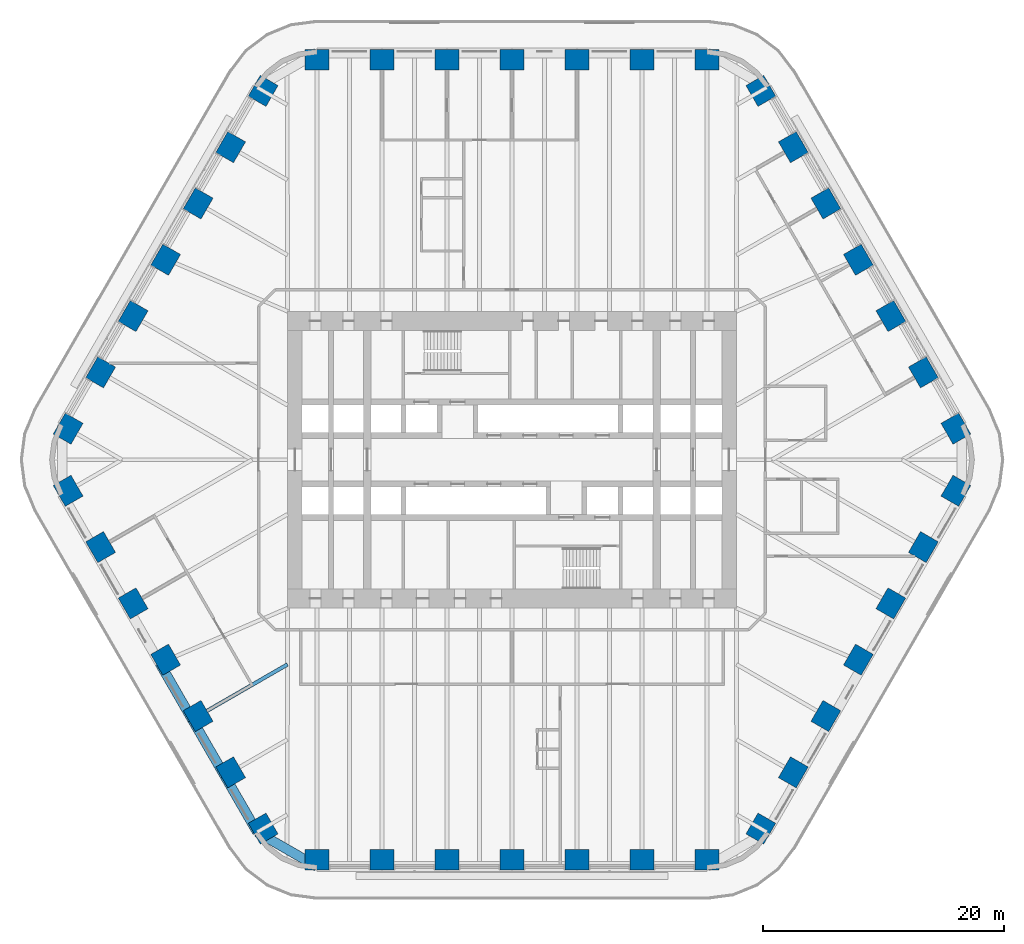
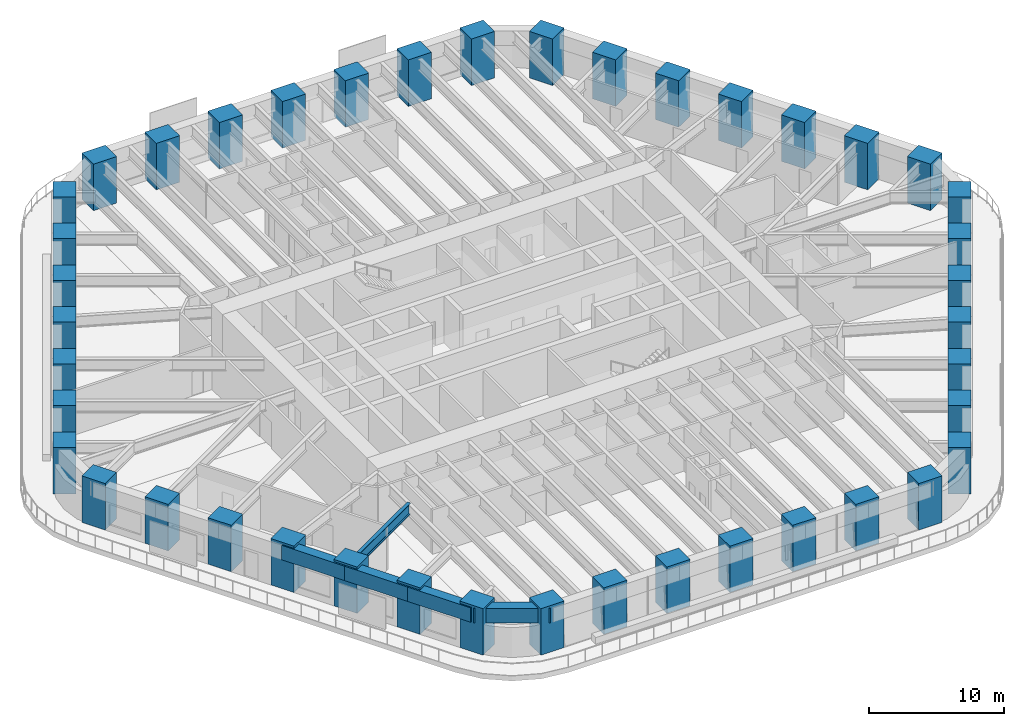
# One storey, part 1 of 24: 42 columns, 5 beams.
"""IFC4 building model written with IfcOpenShell, lengths in metres."""

from ifc_helpers import new_model, si_unit, direction, frame, origin, origin_2d, place, context, subcontext, project, spatial, rectangle, i_section, extrude, material, material_profile, profile_set, type_object, element, save


model = new_model("IFC4")

# Units and contexts
model_context = context("Model", 3, precision=1e-05, world=origin(), true_north=direction((0.0, 1.0)))
body_context = subcontext(model_context, "Body", "Model", "MODEL_VIEW")
ifc_project = project(units=[si_unit("LENGTHUNIT", "METRE"), si_unit("AREAUNIT", "SQUARE_METRE"), si_unit("VOLUMEUNIT", "CUBIC_METRE"), si_unit("PLANEANGLEUNIT", "RADIAN"), si_unit("MASSUNIT", "GRAM", prefix="KILO")], contexts=[model_context])

# Site, building, storey
site_placement = place(None, origin())
site = spatial("IfcSite", under=ifc_project, at=site_placement, CompositionType="ELEMENT")
building_placement = place(site_placement, origin())
building = spatial("IfcBuilding", under=site, at=building_placement, Name="Tarfa Lantern Tower", CompositionType="ELEMENT")
storey_placement = place(building_placement, frame((0.0, 0.0, 73.89990234375)))
storey = spatial("IfcBuildingStorey", under=building, at=storey_placement, Name="L16", CompositionType="ELEMENT", Elevation=73.89990234375)

# Columns
ifc_material_1 = material(Name="Concrete C80/95", Category="concrete")
ifc_material_profile_1 = material_profile(ifc_material_1, rectangle(XDim=2.0, YDim=1.699951171875, at=origin_2d()), Name="RC 2000x1700")
ifc_profile_set_1 = profile_set([ifc_material_profile_1], Name="Concrete C80/95")
column_type = type_object("IfcColumnType", Name="TC3 RC 2000x1700", PredefinedType="COLUMN", material=ifc_profile_set_1)
for number, where, z_axis, x_axis, name in (
    (1, (36.791748046875, 2.574951171875, 0.0), (0.0, 0.0, 1.0), (-0.5, 0.866025403784, 0.0), "Tube column NE0"),
    (2, (34.097412109375, 7.24169921875, 0.0), (0.0, 0.0, 1.0), (-0.5, 0.866025403784, 0.0), "Tube column NE1"),
    (3, (31.403076171875, 11.908447265625, 0.0), (0.0, 0.0, 1.0), (-0.5, 0.866025403784, 0.0), "Tube column NE2"),
    (4, (28.708740234375, 16.574951171875, 0.0), (0.0, 0.0, 1.0), (-0.5, 0.866025403784, 0.0), "Tube column NE3"),
    (5, (26.014404296875, 21.24169921875, 0.0), (0.0, 0.0, 1.0), (-0.5, 0.866025403784, 0.0), "Tube column NE4"),
    (6, (23.320068359375, 25.908447265625, 0.0), (0.0, 0.0, 1.0), (-0.5, 0.866025403784, 0.0), "Tube column NE5"),
    (7, (20.625732421875, 30.574951171875, 0.0), (0.0, 0.0, 1.0), (-0.5, 0.866025403784, 0.0), "Tube column NE6"),
    (8, (16.165771484375, 33.14990234375, 0.0), (0.0, 0.0, 1.0), (-1.0, 0.0, 0.0), "Tube column N0"),
    (9, (10.777099609375, 33.14990234375, 0.0), (0.0, 0.0, 1.0), (-1.0, 0.0, 0.0), "Tube column N1"),
    (10, (5.388671875, 33.14990234375, 0.0), (0.0, 0.0, 1.0), (-1.0, 0.0, 0.0), "Tube column N2"),
    (11, (0.0, 33.14990234375, 0.0), (0.0, 0.0, 1.0), (-1.0, 0.0, 0.0), "Tube column N3"),
    (12, (-5.388671875, 33.14990234375, 0.0), (0.0, 0.0, 1.0), (-1.0, 0.0, 0.0), "Tube column N4"),
    (13, (-10.777099609375, 33.14990234375, 0.0), (0.0, 0.0, 1.0), (-1.0, 0.0, 0.0), "Tube column N5"),
    (14, (-16.165771484375, 33.14990234375, 0.0), (0.0, 0.0, 1.0), (-1.0, 0.0, 0.0), "Tube column N6"),
    (15, (-20.625732421875, 30.574951171875, 0.0), (0.0, 0.0, 1.0), (-0.5, -0.866025403784, 0.0), "Tube column NW0"),
    (16, (-23.320068359375, 25.908447265625, 0.0), (0.0, 0.0, 1.0), (-0.5, -0.866025403784, 0.0), "Tube column NW1"),
    (17, (-26.014404296875, 21.24169921875, 0.0), (0.0, 0.0, 1.0), (-0.5, -0.866025403784, 0.0), "Tube column NW2"),
    (18, (-28.708740234375, 16.574951171875, 0.0), (0.0, 0.0, 1.0), (-0.5, -0.866025403784, 0.0), "Tube column NW3"),
    (19, (-31.403076171875, 11.908447265625, 0.0), (0.0, 0.0, 1.0), (-0.5, -0.866025403784, 0.0), "Tube column NW4"),
    (20, (-34.097412109375, 7.24169921875, 0.0), (0.0, 0.0, 1.0), (-0.5, -0.866025403784, 0.0), "Tube column NW5"),
    (21, (-36.791748046875, 2.574951171875, 0.0), (0.0, 0.0, 1.0), (-0.5, -0.866025403784, 0.0), "Tube column NW6"),
    (22, (-36.791748046875, -2.574951171875, 0.0), (0.0, 0.0, 1.0), (0.5, -0.866025403784, 0.0), "Tube column SW0"),
    (23, (-34.097412109375, -7.24169921875, 0.0), (0.0, 0.0, 1.0), (0.5, -0.866025403784, 0.0), "Tube column SW1"),
    (24, (-31.403076171875, -11.908447265625, 0.0), (0.0, 0.0, 1.0), (0.5, -0.866025403784, 0.0), "Tube column SW2"),
    (25, (-28.708740234375, -16.574951171875, 0.0), (0.0, 0.0, 1.0), (0.5, -0.866025403784, 0.0), "Tube column SW3"),
    (26, (-26.014404296875, -21.24169921875, 0.0), (0.0, 0.0, 1.0), (0.5, -0.866025403784, 0.0), "Tube column SW4"),
    (27, (-23.320068359375, -25.908447265625, 0.0), (0.0, 0.0, 1.0), (0.5, -0.866025403784, 0.0), "Tube column SW5"),
    (28, (-20.625732421875, -30.574951171875, 0.0), (0.0, 0.0, 1.0), (0.5, -0.866025403784, 0.0), "Tube column SW6"),
    (29, (-16.165771484375, -33.14990234375, 0.0), (0.0, 0.0, 1.0), (1.0, 0.0, 0.0), "Tube column S0"),
    (30, (-10.777099609375, -33.14990234375, 0.0), (0.0, 0.0, 1.0), (1.0, 0.0, 0.0), "Tube column S1"),
    (31, (-5.388671875, -33.14990234375, 0.0), (0.0, 0.0, 1.0), (1.0, 0.0, 0.0), "Tube column S2"),
    (32, (0.0, -33.14990234375, 0.0), (0.0, 0.0, 1.0), (1.0, 0.0, 0.0), "Tube column S3"),
    (33, (5.388671875, -33.14990234375, 0.0), (0.0, 0.0, 1.0), (1.0, 0.0, 0.0), "Tube column S4"),
    (34, (10.777099609375, -33.14990234375, 0.0), (0.0, 0.0, 1.0), (1.0, 0.0, 0.0), "Tube column S5"),
    (35, (16.165771484375, -33.14990234375, 0.0), (0.0, 0.0, 1.0), (1.0, 0.0, 0.0), "Tube column S6"),
    (36, (20.625732421875, -30.574951171875, 0.0), (0.0, 0.0, 1.0), (0.5, 0.866025403784, 0.0), "Tube column SE0"),
    (37, (23.320068359375, -25.908447265625, 0.0), (0.0, 0.0, 1.0), (0.5, 0.866025403784, 0.0), "Tube column SE1"),
    (38, (26.014404296875, -21.24169921875, 0.0), (0.0, 0.0, 1.0), (0.5, 0.866025403784, 0.0), "Tube column SE2"),
    (39, (28.708740234375, -16.574951171875, 0.0), (0.0, 0.0, 1.0), (0.5, 0.866025403784, 0.0), "Tube column SE3"),
    (40, (31.403076171875, -11.908447265625, 0.0), (0.0, 0.0, 1.0), (0.5, 0.866025403784, 0.0), "Tube column SE4"),
    (41, (34.097412109375, -7.24169921875, 0.0), (0.0, 0.0, 1.0), (0.5, 0.866025403784, 0.0), "Tube column SE5"),
    (42, (36.791748046875, -2.574951171875, 0.0), (0.0, 0.0, 1.0), (0.5, 0.866025403784, 0.0), "Tube column SE6"),
):
    element("IfcColumn", number, at=place(storey_placement, frame(where, z_axis=z_axis, x_axis=x_axis)), inside=storey, type_object=column_type, Name=name, PredefinedType="COLUMN", context=body_context, shape_type="SweptSolid", body=[
        extrude(rectangle(XDim=2.0, YDim=1.699951171875, at=origin_2d()), origin(), (0.0, 0.0, 1.0), 4.2001953125),
    ])

# Beams
ifc_material_profile_2 = material_profile(ifc_material_1, rectangle(XDim=0.800048828125, YDim=1.300048828125, at=origin_2d()), Name="RC 800x1300")
ifc_profile_set_2 = profile_set([ifc_material_profile_2], Name="Concrete C80/95")
beam_type_1 = type_object("IfcBeamType", Name="EB1 RC 800x1300", PredefinedType="SPANDREL", material=ifc_profile_set_2)
beam_1_placement = place(storey_placement, frame((-29.202392578125, -16.860107421875, 3.35009765625), z_axis=(0.500017906299, -0.866015065331, 0.0), x_axis=(0.866015065331, 0.500017906299, 0.0)))
element("IfcBeam", 43, at=beam_1_placement, inside=storey, type_object=beam_type_1, Name="Edge beam SW3", PredefinedType="SPANDREL", context=body_context, shape_type="SweptSolid", body=[
    extrude(rectangle(XDim=0.800048828125, YDim=1.300048828125, at=origin_2d()), origin(), (0.0, 0.0, 1.0), 5.388427734375),
])
for number, where, z_axis, x_axis, name in (
    (44, (-26.508056640625, -21.526611328125, 3.35009765625), (0.499998287579, -0.866026392449, 0.0), (0.866026392449, 0.499998287579, 0.0), "Edge beam SW4"),
    (45, (-23.813720703125, -26.193359375, 3.35009765625), (0.499998287579, -0.866026392449, 0.0), (0.866026392449, 0.499998287579, 0.0), "Edge beam SW5"),
):
    element("IfcBeam", number, at=place(storey_placement, frame(where, z_axis=z_axis, x_axis=x_axis)), inside=storey, type_object=beam_type_1, Name=name, PredefinedType="SPANDREL", context=body_context, shape_type="SweptSolid", body=[
        extrude(rectangle(XDim=0.800048828125, YDim=1.300048828125, at=origin_2d()), origin(), (0.0, 0.0, 1.0), 5.388671875),
    ])
beam_2_placement = place(storey_placement, frame((-21.119384765625, -30.860107421875, 3.35009765625), z_axis=(0.866033479681, -0.499986011877, 0.0), x_axis=(0.499986011877, 0.866033479681, 0.0)))
element("IfcBeam", 46, at=beam_2_placement, inside=storey, type_object=beam_type_1, Name="Edge beam SW6", PredefinedType="SPANDREL", context=body_context, shape_type="SweptSolid", body=[
    extrude(rectangle(XDim=0.800048828125, YDim=1.300048828125, at=origin_2d()), origin(), (0.0, 0.0, 1.0), 5.719970703125),
])
ifc_material_2 = material(Name="Steel S460M", Category="steel")
ifc_material_profile_3 = material_profile(ifc_material_2, i_section(OverallWidth=0.302001953125, OverallDepth=1.008056640625, WebThickness=0.02099609375, FlangeThickness=0.0400390625, FilletRadius=0.030029296875, at=origin_2d()), Name="UB1016x305x349")
ifc_profile_set_3 = profile_set([ifc_material_profile_3], Name="Steel S460M")
beam_type_2 = type_object("IfcBeamType", Name="UB1016x305x349", PredefinedType="BEAM", material=ifc_profile_set_3)
beam_3_placement = place(storey_placement, frame((-26.508056640625, -21.526611328125, 3.49609375), z_axis=(0.866035355799, 0.49998276221, 0.0), x_axis=(-0.49998276221, 0.866035355799, 0.0)))
element("IfcBeam", 47, at=beam_3_placement, inside=storey, type_object=beam_type_2, Name="Floor beam SW4", PredefinedType="BEAM", context=body_context, shape_type="SweptSolid", body=[
    extrude(i_section(OverallWidth=0.302001953125, OverallDepth=1.008056640625, WebThickness=0.02099609375, FlangeThickness=0.0400390625, FilletRadius=0.030029296875, at=origin_2d()), origin(), (0.0, 0.0, 1.0), 9.119873046875),
])

save(model, "model.ifc")
